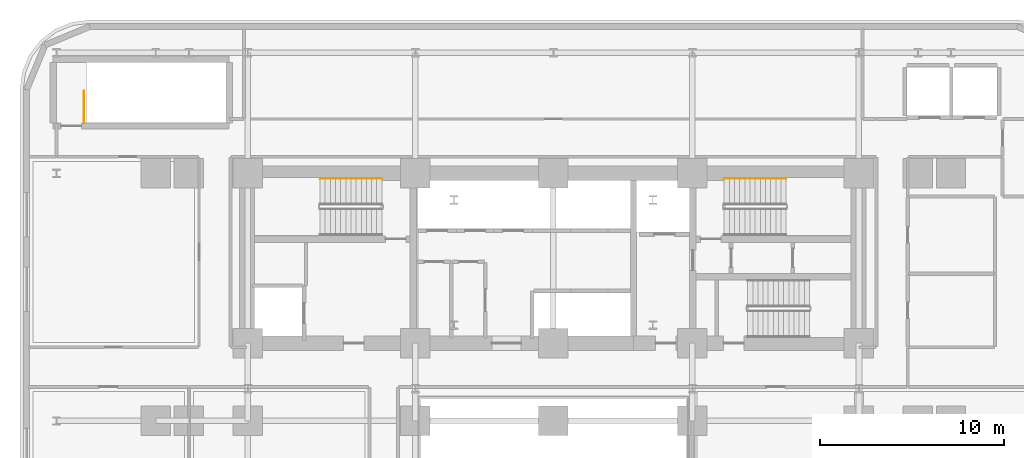
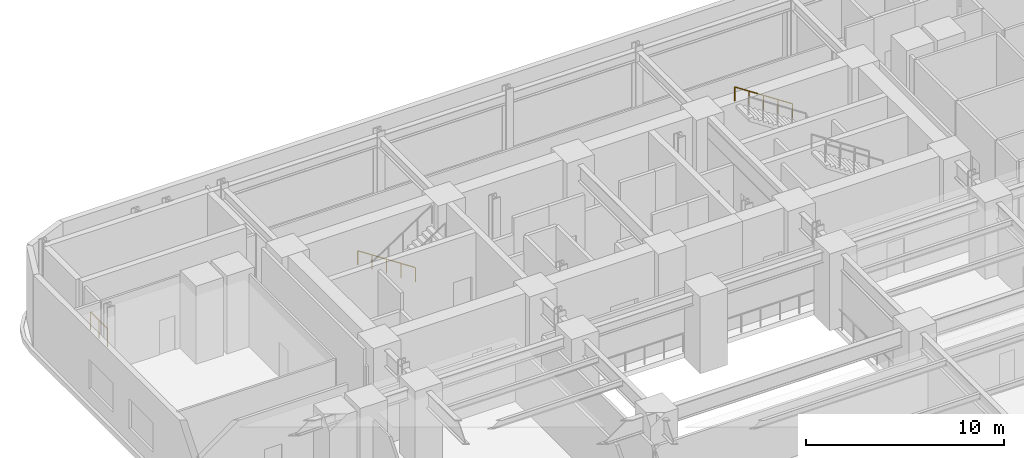
# One storey, part 15 of 15: 3 railings.
"""IFC4 building model written with IfcOpenShell, lengths in metres."""

import ifcopenshell
import ifcopenshell.guid

model = None  # the IFC model being written
_history = None  # IfcOwnerHistory: only IFC2X3 demands one
_inside = {}  # id of a spatial element -> (the spatial element, [elements in it])
_under = {}  # id of a project, library or spatial element -> (it, [spatial elements below it])
_declared = {}  # id of a project -> (the project, [libraries it declares])
_typed = {}  # id of a type object -> (the type object, [elements of that type])
_made_of = {}  # id of a material, layer set ... -> (it, [elements and type objects made of it])


def new_model(schema):
    """Start an empty IFC model of exactly this schema.

    Asked for "IFC4X3", IfcOpenShell would pick the latest addendum, in which some entities
    have other attributes; the version numbers below select the first issue.
    IFC2X3 requires an IfcOwnerHistory on every rooted entity: one is made here for all.
    """
    global model, _history
    if schema == "IFC4X3":
        model = ifcopenshell.file(schema_version=(4, 3, 0, 0))
    else:
        model = ifcopenshell.file(schema=schema)
    _inside.clear()
    _under.clear()
    _declared.clear()
    _typed.clear()
    _made_of.clear()
    _history = None
    if model.schema == "IFC2X3":
        org = make("IfcOrganization", Name="unknown")
        user = make(
            "IfcPersonAndOrganization",
            ThePerson=make("IfcPerson", FamilyName="unknown"),
            TheOrganization=org,
        )
        app = make(
            "IfcApplication",
            ApplicationDeveloper=org,
            Version="unknown",
            ApplicationFullName="unknown",
            ApplicationIdentifier="unknown",
        )
        _history = make(
            "IfcOwnerHistory",
            OwningUser=user,
            OwningApplication=app,
            ChangeAction="ADDED",
            CreationDate=0,
        )
    return model


def make(cls, **values):
    """One entity of the class cls with the attributes given. An attribute that is None is left unset."""
    return model.create_entity(
        cls, **{name: value for name, value in values.items() if value is not None}
    )


def rooted(cls, **values):
    """An entity with a GlobalId (a new one), such as an element, a storey or a relation."""
    return make(cls, GlobalId=ifcopenshell.guid.new(), OwnerHistory=_history, **values)


def si_unit(unit_type, name, prefix=None):
    """IfcSIUnit, for example si_unit("LENGTHUNIT", "METRE", prefix="MILLI")."""
    return make("IfcSIUnit", UnitType=unit_type, Prefix=prefix, Name=name)


def assignment(units):
    """IfcUnitAssignment: the units of a project."""
    return None if units is None else make("IfcUnitAssignment", Units=units)


def point(xyz):
    """IfcCartesianPoint."""
    return None if xyz is None else make("IfcCartesianPoint", Coordinates=xyz)


def direction(xyz):
    """IfcDirection."""
    return None if xyz is None else make("IfcDirection", DirectionRatios=xyz)


def frame(location, z_axis=None, x_axis=None):
    """IfcAxis2Placement3D, a coordinate frame: its origin and axes. An axis left out is left unset."""
    return make(
        "IfcAxis2Placement3D",
        Location=point(location),
        Axis=direction(z_axis),
        RefDirection=direction(x_axis),
    )


def frame_2d(location, x_axis=None):
    """IfcAxis2Placement2D, a coordinate frame in the plane: its origin and x axis."""
    return make(
        "IfcAxis2Placement2D", Location=point(location), RefDirection=direction(x_axis)
    )


def origin():
    """The frame at (0, 0, 0) with its axes left unset."""
    return frame((0.0, 0.0, 0.0))


def origin_2d():
    """The frame at (0, 0) in the plane with its x axis left unset."""
    return frame_2d((0.0, 0.0))


def place(relative_to, where):
    """IfcLocalPlacement: puts the frame where relative to a parent placement (None: the world)."""
    return make(
        "IfcLocalPlacement", PlacementRelTo=relative_to, RelativePlacement=where
    )


def context(
    kind, dimensions, precision=None, world=None, true_north=None, identifier=None
):
    """IfcGeometricRepresentationContext, for example the 3D "Model" context."""
    return make(
        "IfcGeometricRepresentationContext",
        ContextIdentifier=identifier,
        ContextType=kind,
        CoordinateSpaceDimension=dimensions,
        Precision=precision,
        WorldCoordinateSystem=world,
        TrueNorth=true_north,
    )


def subcontext(parent, identifier, kind, view, scale=None):
    """IfcGeometricRepresentationSubContext, for example "Body" below "Model"."""
    return make(
        "IfcGeometricRepresentationSubContext",
        ContextIdentifier=identifier,
        ContextType=kind,
        ParentContext=parent,
        TargetScale=scale,
        TargetView=view,
    )


def project(units=None, contexts=None):
    """IfcProject with its units and contexts."""
    return rooted(
        "IfcProject",
        Name="project",
        RepresentationContexts=contexts,
        UnitsInContext=assignment(units),
    )


def spatial(cls, under=None, at=None, **own):
    """A site, building, storey or space (cls), placed at a placement, below another one or the project."""
    s = rooted(cls, ObjectPlacement=at, **own)
    if under is not None:
        _under.setdefault(under.id(), (under, []))[1].append(s)
    return s


def profile(cls, at=None, kind="AREA", **sizes):
    """A parametric profile (cls). Its sizes go by their IFC names, for example OverallWidth=200.0."""
    return make(cls, ProfileType=kind, Position=at, **sizes)


def rectangle(**sizes):
    """IfcRectangleProfileDef."""
    return profile("IfcRectangleProfileDef", **sizes)


def extrude(swept, where, along, depth):
    """IfcExtrudedAreaSolid: the profile swept, set in the frame where, extruded along a direction by depth."""
    return make(
        "IfcExtrudedAreaSolid",
        SweptArea=swept,
        Position=where,
        ExtrudedDirection=direction(along),
        Depth=depth,
    )


def shape(context_of_items, identifier, shape_type, items):
    """IfcShapeRepresentation: the items that make up one representation, for example the "Body"."""
    return make(
        "IfcShapeRepresentation",
        ContextOfItems=context_of_items,
        RepresentationIdentifier=identifier,
        RepresentationType=shape_type,
        Items=items,
    )


def material(Name=None, Category=None):
    """IfcMaterial."""
    return make("IfcMaterial", Name=Name, Category=Category)


def made_of(thing, what):
    """Note that an element or type object is made of a material, layer set ...; save() writes the relation."""
    if what is not None:
        _made_of.setdefault(what.id(), (what, []))[1].append(thing)
    return thing


def type_object(cls, material=None, **own):
    """A type object (cls), such as IfcWallType, which elements share."""
    return made_of(rooted(cls, **own), material)


def element(
    cls,
    number,
    at=None,
    inside=None,
    cuts=None,
    type_object=None,
    material=None,
    context=None,
    identifier="Body",
    shape_type=None,
    held_by="IfcProductDefinitionShape",
    body=None,
    shapes=None,
    **own,
):
    """One element of the class cls, such as IfcWall. Its Tag is "e" and its number.

    at: its placement. inside: the storey or other place that contains it. cuts: it is an
    opening in that element (IfcRelVoidsElement). A single representation is given by context,
    identifier, shape_type and body (its items); several are given by shapes. held_by: the class
    of the entity that holds the representations. save() writes the other relations.
    """
    e = rooted(cls, Tag="e%d" % number, ObjectPlacement=at, **own)
    if body is not None:
        shapes = [shape(context, identifier, shape_type, body)]
    if shapes is not None:
        e.Representation = make(held_by, Representations=shapes)
    if inside is not None:
        _inside.setdefault(inside.id(), (inside, []))[1].append(e)
    if cuts is not None:
        rooted(
            "IfcRelVoidsElement", RelatingBuildingElement=cuts, RelatedOpeningElement=e
        )
    if type_object is not None:
        _typed.setdefault(type_object.id(), (type_object, []))[1].append(e)
    return made_of(e, material)


def aggregate(whole, parts):
    """IfcRelAggregates: a whole, such as a stair, and the parts it consists of."""
    return rooted("IfcRelAggregates", RelatingObject=whole, RelatedObjects=parts)


def save(model, path):
    """Write the relations noted so far, then the file.

    IfcRelAggregates (storeys below a building ...), IfcRelContainedInSpatialStructure (elements
    in a storey), IfcRelDefinesByType, IfcRelAssociatesMaterial and IfcRelDeclares: one each for
    every whole, place, type object, material and project.
    """
    for whole, parts in _under.values():
        aggregate(whole, parts)
    for where, things in _inside.values():
        rooted(
            "IfcRelContainedInSpatialStructure",
            RelatedElements=things,
            RelatingStructure=where,
        )
    for kind, things in _typed.values():
        rooted("IfcRelDefinesByType", RelatedObjects=things, RelatingType=kind)
    for what, things in _made_of.values():
        rooted("IfcRelAssociatesMaterial", RelatedObjects=things, RelatingMaterial=what)
    for by, libraries in _declared.values():
        rooted("IfcRelDeclares", RelatingContext=by, RelatedDefinitions=libraries)
    model.write(path)


model = new_model("IFC4")

# Units and contexts
model_context = context("Model", 3, precision=1e-05, world=origin(), true_north=direction((0.0, 1.0)))
body_context = subcontext(model_context, "Body", "Model", "MODEL_VIEW")
ifc_project = project(units=[si_unit("LENGTHUNIT", "METRE"), si_unit("AREAUNIT", "SQUARE_METRE"), si_unit("VOLUMEUNIT", "CUBIC_METRE"), si_unit("PLANEANGLEUNIT", "RADIAN"), si_unit("MASSUNIT", "GRAM", prefix="KILO")], contexts=[model_context])

# Site, building, storey
site_placement = place(None, origin())
site = spatial("IfcSite", under=ifc_project, at=site_placement, CompositionType="ELEMENT")
building_placement = place(site_placement, origin())
building = spatial("IfcBuilding", under=site, at=building_placement, Name="Zarnavel Station Tower", CompositionType="ELEMENT")
storey_placement = place(building_placement, frame((0.0, 0.0, 24.199951171875)))
storey = spatial("IfcBuildingStorey", under=building, at=storey_placement, Name="L06", CompositionType="ELEMENT", Elevation=24.199951171875)

# Railings
ifc_material_1 = material(Name="Painted Steel S355J2 Balustrade", Category="steel")
railing_type_1 = type_object("IfcRailingType", Name="GR_INT_1150", PredefinedType="GUARDRAIL", material=ifc_material_1)
railing_1_placement = place(storey_placement, frame((3.300048828125, 39.800048828125, 0.0)))
element("IfcRailing", 1, at=railing_1_placement, inside=storey, type_object=railing_type_1, Name="L06 ST4 top well guard 1", PredefinedType="GUARDRAIL", context=body_context, shape_type="SweptSolid", body=[
    extrude(rectangle(XDim=0.048095703125, YDim=0.048095703125, at=origin_2d()), frame((0.0, 0.001953125, 1.1259765625), z_axis=(0.0, 1.0, 0.0), x_axis=(-1.0, 0.0, 0.0)), (0.0, 0.0, 1.0), 1.7060546875),
    extrude(rectangle(XDim=0.0419921875, YDim=0.0419921875, at=origin_2d()), origin(), (0.0, 0.0, 1.0), 1.101806640625),
    extrude(rectangle(XDim=0.0419921875, YDim=0.0419921875, at=origin_2d()), frame((0.0, 0.85498046875, 0.0)), (0.0, 0.0, 1.0), 1.101806640625),
    extrude(rectangle(XDim=0.0419921875, YDim=0.0419921875, at=origin_2d()), frame((0.0, 1.7099609375, 0.0)), (0.0, 0.0, 1.0), 1.101806640625),
])
ifc_material_2 = material(Name="Brushed Stainless Steel S355J2 Handrail", Category="steel")
railing_type_2 = type_object("IfcRailingType", Name="HR_STAIR_900", PredefinedType="HANDRAIL", material=ifc_material_2)
railing_2_placement = place(storey_placement, frame((19.47998046875, 36.77001953125, 0.1845703125)))
element("IfcRailing", 2, at=railing_2_placement, inside=storey, type_object=railing_type_2, Name="L06 ST1 stair handrail 1", PredefinedType="HANDRAIL", context=body_context, shape_type="SweptSolid", body=[
    extrude(rectangle(XDim=0.048095703125, YDim=0.048095703125, at=origin_2d()), frame((-0.001708984375, 0.0, 0.876953125), z_axis=(-0.83483021737, 0.0, 0.550507500554), x_axis=(0.0, -1.0, 0.0)), (0.0, 0.0, 1.0), 4.0205078125),
    extrude(rectangle(XDim=0.0419921875, YDim=0.0419921875, at=origin_2d()), origin(), (0.0, 0.0, 1.0), 0.851806640625),
    extrude(rectangle(XDim=0.0419921875, YDim=0.0419921875, at=origin_2d()), frame((-0.83984375, 0.0, 0.553955078125)), (0.0, 0.0, 1.0), 0.851806640625),
    extrude(rectangle(XDim=0.0419921875, YDim=0.0419921875, at=origin_2d()), frame((-1.679931640625, 0.0, 1.10791015625)), (0.0, 0.0, 1.0), 0.851806640625),
    extrude(rectangle(XDim=0.0419921875, YDim=0.0419921875, at=origin_2d()), frame((-2.52001953125, 0.0, 1.66162109375)), (0.0, 0.0, 1.0), 0.851806640625),
    extrude(rectangle(XDim=0.0419921875, YDim=0.0419921875, at=origin_2d()), frame((-3.35986328125, 0.0, 2.215576171875)), (0.0, 0.0, 1.0), 0.851806640625),
])
railing_3_placement = place(storey_placement, frame((41.43994140625, 36.77001953125, 2.584716796875)))
element("IfcRailing", 3, at=railing_3_placement, inside=storey, type_object=railing_type_2, Name="L06 ST2 stair handrail 2", PredefinedType="HANDRAIL", context=body_context, shape_type="SweptSolid", body=[
    extrude(rectangle(XDim=0.048095703125, YDim=0.048095703125, at=origin_2d()), frame((-0.001708984375, 0.0, 0.876953125), z_axis=(-0.834858096282, 0.0, 0.550465220583), x_axis=(0.0, -1.0, 0.0)), (0.0, 0.0, 1.0), 4.0205078125),
    extrude(rectangle(XDim=0.0419921875, YDim=0.0419921875, at=origin_2d()), origin(), (0.0, 0.0, 1.0), 0.851806640625),
    extrude(rectangle(XDim=0.0419921875, YDim=0.0419921875, at=origin_2d()), frame((-0.83984375, 0.0, 0.5537109375)), (0.0, 0.0, 1.0), 0.851806640625),
    extrude(rectangle(XDim=0.0419921875, YDim=0.0419921875, at=origin_2d()), frame((-1.679931640625, 0.0, 1.107666015625)), (0.0, 0.0, 1.0), 0.851806640625),
    extrude(rectangle(XDim=0.0419921875, YDim=0.0419921875, at=origin_2d()), frame((-2.52001953125, 0.0, 1.66162109375)), (0.0, 0.0, 1.0), 0.851806640625),
    extrude(rectangle(XDim=0.0419921875, YDim=0.0419921875, at=origin_2d()), frame((-3.35986328125, 0.0, 2.21533203125)), (0.0, 0.0, 1.0), 0.851806640625),
])

save(model, "model.ifc")
